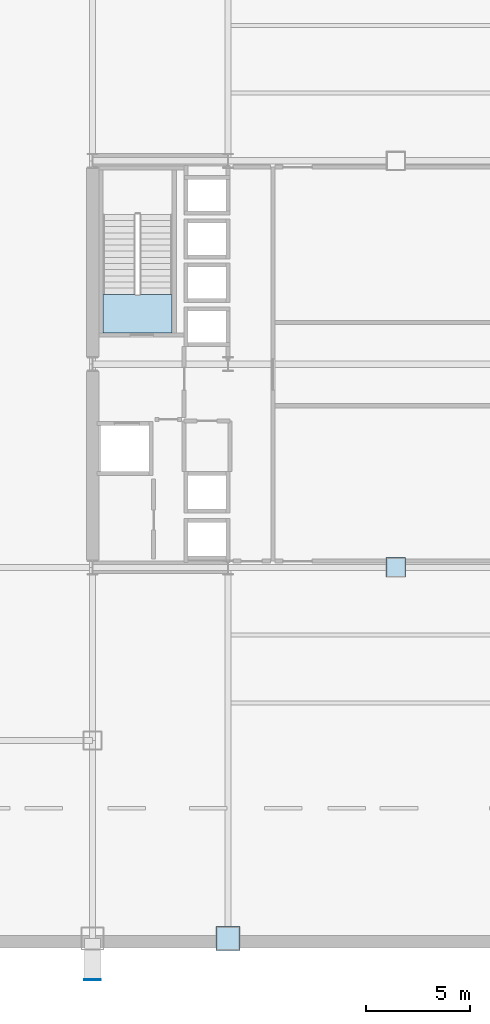
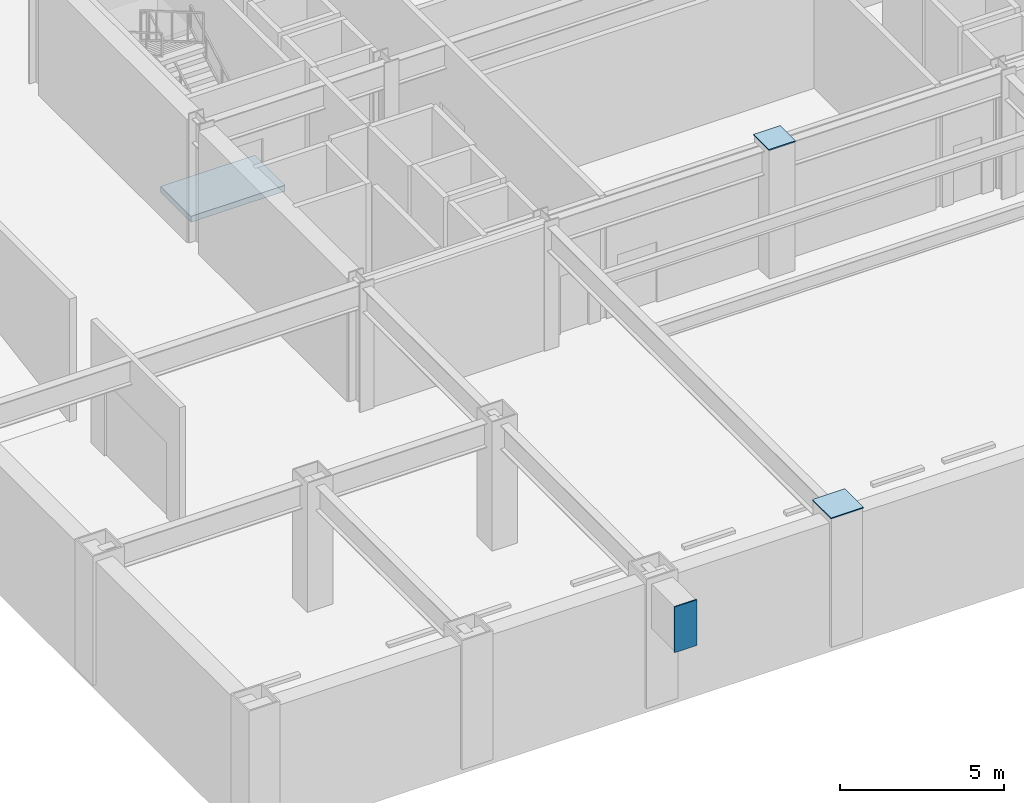
# One storey, part 2 of 10: 3 plates, 1 slab.
"""IFC4 building model written with IfcOpenShell, lengths in metres."""

from ifc_helpers import new_model, si_unit, direction, frame, origin, origin_2d, place, context, subcontext, project, spatial, polyline, rectangle, outline, extrude, material, layer, layer_set, type_object, element, save


model = new_model("IFC4")

# Units and contexts
model_context = context("Model", 3, precision=1e-05, world=origin(), true_north=direction((0.0, 1.0)))
body_context = subcontext(model_context, "Body", "Model", "MODEL_VIEW")
ifc_project = project(units=[si_unit("LENGTHUNIT", "METRE"), si_unit("AREAUNIT", "SQUARE_METRE"), si_unit("VOLUMEUNIT", "CUBIC_METRE"), si_unit("PLANEANGLEUNIT", "RADIAN"), si_unit("MASSUNIT", "GRAM", prefix="KILO")], contexts=[model_context])

# Site, building, storey
site_placement = place(None, origin())
site = spatial("IfcSite", under=ifc_project, at=site_placement, CompositionType="ELEMENT")
building_placement = place(site_placement, origin())
building = spatial("IfcBuilding", under=site, at=building_placement, Name="Brelmoor Portico Tower", CompositionType="ELEMENT")
storey_placement = place(building_placement, frame((0.0, 0.0, -4.800048828125)))
storey = spatial("IfcBuildingStorey", under=building, at=storey_placement, Name="B1", CompositionType="ELEMENT", Elevation=-4.800048828125)

# Plates
ifc_material_1 = material(Name="Steel Q355B", Category="steel")
ifc_layer_1 = layer(ifc_material_1, 0.044921875)
ifc_layer_set_1 = layer_set([ifc_layer_1], Name="Steel Q355B")
plate_type = type_object("IfcPlateType", Name="PT-CAP-650", PredefinedType="SHEET", material=ifc_layer_set_1)
plate_1_placement = place(storey_placement, frame((0.0, -9.75, 4.800048828125), z_axis=(0.0, 0.0, 1.0), x_axis=(1.0, 0.0, 0.0)))
element("IfcPlate", 1, at=plate_1_placement, inside=storey, type_object=plate_type, Name="B1 Basement Central Column CB-S Welded Head Cap Plate", PredefinedType="SHEET", context=body_context, shape_type="SweptSolid", body=[
    extrude(rectangle(XDim=0.93994140625, YDim=0.93994140625, at=origin_2d()), origin(), (0.0, 0.0, 1.0), 0.0400390625),
])
plate_2_placement = place(storey_placement, frame((-8.050048828125, -27.550048828125, 4.800048828125), z_axis=(0.0, 0.0, 1.0), x_axis=(1.0, 0.0, 0.0)))
element("IfcPlate", 2, at=plate_2_placement, inside=storey, type_object=plate_type, Name="B1 Perimeter Mega-Column PS04 Welded Head Cap Plate", PredefinedType="SHEET", context=body_context, shape_type="SweptSolid", body=[
    extrude(rectangle(XDim=1.139892578125, YDim=1.139892578125, at=origin_2d()), origin(), (0.0, 0.0, 1.0), 0.0400390625),
])
plate_3_placement = place(storey_placement, frame((-14.550048828125, -29.52001953125, 2.89990234375), z_axis=(0.0, 0.0, 1.0), x_axis=(1.0, 0.0, 0.0)))
element("IfcPlate", 3, at=plate_3_placement, inside=storey, type_object=plate_type, Name="B1 Entrance Portal Cantilever End Cap Plate EPB-01", PredefinedType="SHEET", context=body_context, shape_type="SweptSolid", body=[
    extrude(rectangle(XDim=0.7900390625, YDim=0.0400390625, at=origin_2d()), origin(), (0.0, 0.0, 1.0), 1.699951171875),
])

# Slab
ifc_material_2 = material(Name="Concrete C40", Category="concrete")
ifc_layer_2 = layer(ifc_material_2, 0.219970703125)
ifc_layer_set_2 = layer_set([ifc_layer_2], Name="Concrete C40")
slab_type = type_object("IfcSlabType", Name="SL-STAIR-FL220", PredefinedType="LANDING", material=ifc_layer_set_2)
slab_placement = place(storey_placement, frame((0.0, 0.0, -0.219970703125)))
element("IfcSlab", 4, at=slab_placement, inside=storey, type_object=slab_type, Name="B1 ST-W Structural Floor Landing Slab", PredefinedType="LANDING", context=body_context, shape_type="SweptSolid", body=[
    extrude(outline(polyline([(-10.72998046875, 1.5), (-10.72998046875, 3.35009765625), (-14.050048828125, 3.35009765625), (-14.050048828125, 1.5), (-10.72998046875, 1.5)])), origin(), (0.0, 0.0, 1.0), 0.219970703125),
])

save(model, "model.ifc")
